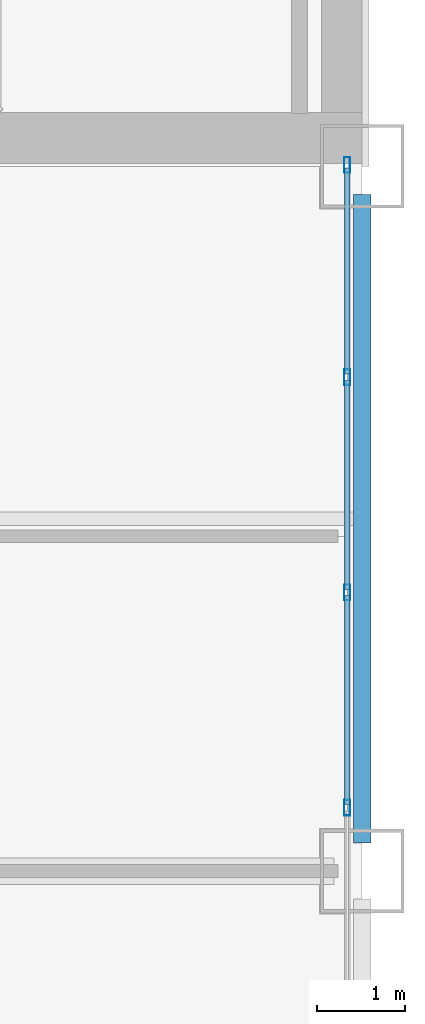
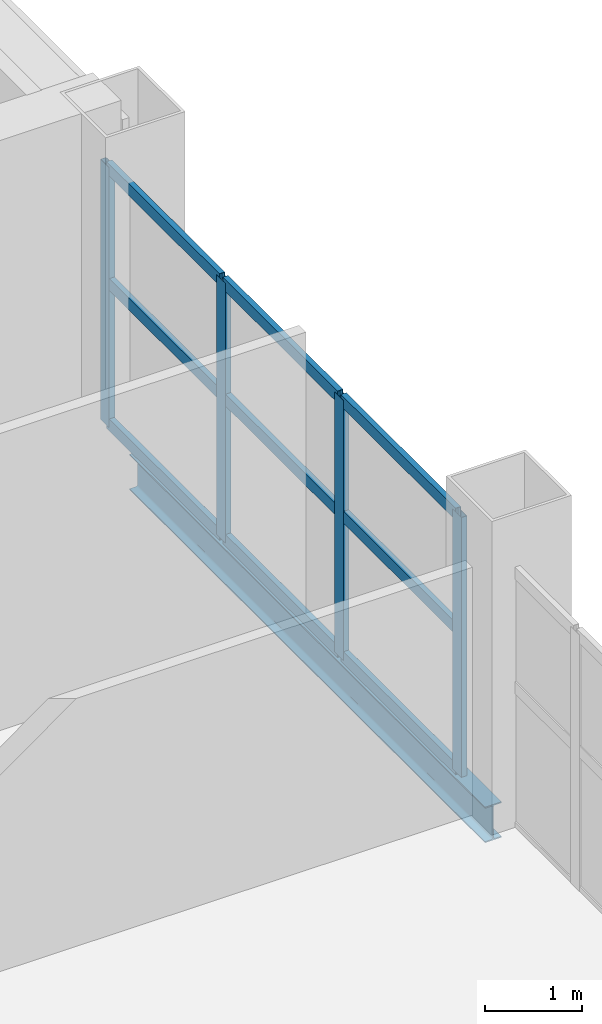
# One storey, part 6 of 14: 13 members, 1 beam, 1 element without a shape of its own.
"""IFC4 building model written with IfcOpenShell, lengths in metres."""

from ifc_helpers import new_model, si_unit, direction, frame, origin, origin_2d, place, context, subcontext, project, spatial, hollow_rectangle, i_section, extrude, material, layer, layer_set, material_profile, profile_set, type_object, element, aggregate, save


model = new_model("IFC4")

# Units and contexts
model_context = context("Model", 3, precision=1e-05, world=origin(), true_north=direction((0.0, 1.0)))
body_context = subcontext(model_context, "Body", "Model", "MODEL_VIEW")
ifc_project = project(units=[si_unit("LENGTHUNIT", "METRE"), si_unit("AREAUNIT", "SQUARE_METRE"), si_unit("VOLUMEUNIT", "CUBIC_METRE"), si_unit("PLANEANGLEUNIT", "RADIAN"), si_unit("MASSUNIT", "GRAM", prefix="KILO")], contexts=[model_context])

# Site, building, storey
site_placement = place(None, origin())
site = spatial("IfcSite", under=ifc_project, at=site_placement, CompositionType="ELEMENT")
building_placement = place(site_placement, origin())
building = spatial("IfcBuilding", under=site, at=building_placement, Name="Qianrong Seaharbour Tower", CompositionType="ELEMENT")
storey_placement = place(building_placement, frame((0.0, 0.0, 209.800048828125)))
storey = spatial("IfcBuildingStorey", under=building, at=storey_placement, Name="L50", CompositionType="ELEMENT", Elevation=209.800048828125)

# Beam
ifc_material_1 = material(Name="Structural steel SN400B", Category="steel")
ifc_material_profile_1 = material_profile(ifc_material_1, i_section(OverallWidth=0.199951171875, OverallDepth=0.449951171875, WebThickness=0.009033203125, FlangeThickness=0.013916015625, FilletRadius=0.01806640625, at=origin_2d()), Name="H450x200x9x14")
ifc_profile_set_1 = profile_set([ifc_material_profile_1], Name="Structural steel SN400B")
beam_type = type_object("IfcBeamType", Name="BM-SP-450", PredefinedType="SPANDREL", material=ifc_profile_set_1)
beam_placement = place(storey_placement, frame((64.0, 28.320068359375, -0.449951171875), z_axis=(0.0, 1.0, 0.0), x_axis=(-1.0, 0.0, 0.0)))
element("IfcBeam", 1, at=beam_placement, inside=storey, type_object=beam_type, Name="L50 Spandrel Girder G9 GE-GF", PredefinedType="SPANDREL", context=body_context, shape_type="SweptSolid", body=[
    extrude(i_section(OverallWidth=0.199951171875, OverallDepth=0.449951171875, WebThickness=0.009033203125, FlangeThickness=0.013916015625, FilletRadius=0.01806640625, at=origin_2d()), origin(), (0.0, 0.0, 1.0), 7.35986328125),
])

# Curtain wall, members
ifc_material_2 = material(Name="Anodised aluminium 6063-T6 and laminated low-e glass", Category="aluminium")
ifc_layer = layer(ifc_material_2, 0.195068359375)
ifc_layer_set = layer_set([ifc_layer], Name="Anodised aluminium 6063-T6 and laminated low-e glass")
curtain_wall_type = type_object("IfcCurtainWallType", Name="CW-SYS-3", PredefinedType="NOTDEFINED", material=ifc_layer_set)
curtain_wall_placement = place(storey_placement, origin())
curtain_wall = element("IfcCurtainWall", 2, at=curtain_wall_placement, inside=storey, type_object=curtain_wall_type, Name="L50 Sky-Garden Wintergarden Curtain Wall EAST_WING", PredefinedType="NOTDEFINED")
ifc_material_3 = material(Name="Extruded aluminium 6063-T6", Category="aluminium")
ifc_material_profile_2 = material_profile(ifc_material_3, hollow_rectangle(XDim=0.070068359375, YDim=0.179931640625, WallThickness=0.00390625, at=origin_2d()), Name="ALU-MUL-180x70x4")
ifc_profile_set_2 = profile_set([ifc_material_profile_2], Name="Extruded aluminium 6063-T6")
member_type_1 = type_object("IfcMemberType", Name="CW-MUL-180", PredefinedType="MULLION", material=ifc_profile_set_2)
member_1_placement = place(storey_placement, frame((63.830078125, 36.014892578125, 0.0), z_axis=(0.0, 0.0, 1.0), x_axis=(1.0, 0.0, 0.0)))
member_1 = element("IfcMember", 3, at=member_1_placement, type_object=member_type_1, Name="CW-3 mullion 1", PredefinedType="MULLION", context=body_context, shape_type="SweptSolid", body=[
    extrude(hollow_rectangle(XDim=0.070068359375, YDim=0.179931640625, WallThickness=0.00390625, at=origin_2d()), origin(), (0.0, 0.0, 1.0), 3.284912109375),
])
member_2_placement = place(storey_placement, frame((63.830078125, 33.606201171875, 0.0), z_axis=(0.0, 0.0, 1.0), x_axis=(1.0, 0.0, 0.0)))
member_2 = element("IfcMember", 4, at=member_2_placement, type_object=member_type_1, Name="CW-3 mullion 2", PredefinedType="MULLION", context=body_context, shape_type="SweptSolid", body=[
    extrude(hollow_rectangle(XDim=0.070068359375, YDim=0.179931640625, WallThickness=0.00390625, at=origin_2d()), origin(), (0.0, 0.0, 1.0), 3.284912109375),
])
member_3_placement = place(storey_placement, frame((63.830078125, 31.16259765625, 0.0), z_axis=(0.0, 0.0, 1.0), x_axis=(1.0, 0.0, 0.0)))
member_3 = element("IfcMember", 5, at=member_3_placement, type_object=member_type_1, Name="CW-3 mullion 3", PredefinedType="MULLION", context=body_context, shape_type="SweptSolid", body=[
    extrude(hollow_rectangle(XDim=0.070068359375, YDim=0.179931640625, WallThickness=0.00390625, at=origin_2d()), origin(), (0.0, 0.0, 1.0), 3.284912109375),
])
member_4_placement = place(storey_placement, frame((63.830078125, 28.71875, 0.0), z_axis=(0.0, 0.0, 1.0), x_axis=(1.0, 0.0, 0.0)))
member_4 = element("IfcMember", 6, at=member_4_placement, type_object=member_type_1, Name="CW-3 mullion 4", PredefinedType="MULLION", context=body_context, shape_type="SweptSolid", body=[
    extrude(hollow_rectangle(XDim=0.070068359375, YDim=0.179931640625, WallThickness=0.00390625, at=origin_2d()), origin(), (0.0, 0.0, 1.0), 3.284912109375),
])
ifc_material_profile_3 = material_profile(ifc_material_3, hollow_rectangle(XDim=0.06494140625, YDim=0.14990234375, WallThickness=0.00390625, at=origin_2d()), Name="ALU-TRN-150x65x4")
ifc_profile_set_3 = profile_set([ifc_material_profile_3], Name="Extruded aluminium 6063-T6")
member_type_2 = type_object("IfcMemberType", Name="CW-TRN-150", PredefinedType="USERDEFINED", material=ifc_profile_set_3)
member_5_placement = place(storey_placement, frame((63.830078125, 35.97998046875, 0.032470703125), z_axis=(0.0, -1.0, 0.0), x_axis=(1.0, 0.0, 0.0)))
member_5 = element("IfcMember", 7, at=member_5_placement, type_object=member_type_2, Name="CW-3 transom 1.1", ObjectType="TRANSOM", PredefinedType="USERDEFINED", context=body_context, shape_type="SweptSolid", body=[
    extrude(hollow_rectangle(XDim=0.06494140625, YDim=0.14990234375, WallThickness=0.00390625, at=origin_2d()), origin(), (0.0, 0.0, 1.0), 2.338623046875),
])
member_6_placement = place(storey_placement, frame((63.830078125, 35.97998046875, 1.806640625), z_axis=(0.0, -1.0, 0.0), x_axis=(1.0, 0.0, 0.0)))
member_6 = element("IfcMember", 8, at=member_6_placement, type_object=member_type_2, Name="CW-3 transom 1.2", ObjectType="TRANSOM", PredefinedType="USERDEFINED", context=body_context, shape_type="SweptSolid", body=[
    extrude(hollow_rectangle(XDim=0.06494140625, YDim=0.14990234375, WallThickness=0.00390625, at=origin_2d()), origin(), (0.0, 0.0, 1.0), 2.338623046875),
])
member_7_placement = place(storey_placement, frame((63.830078125, 35.97998046875, 3.25244140625), z_axis=(0.0, -1.0, 0.0), x_axis=(1.0, 0.0, 0.0)))
member_7 = element("IfcMember", 9, at=member_7_placement, type_object=member_type_2, Name="CW-3 transom 1.3", ObjectType="TRANSOM", PredefinedType="USERDEFINED", context=body_context, shape_type="SweptSolid", body=[
    extrude(hollow_rectangle(XDim=0.06494140625, YDim=0.14990234375, WallThickness=0.00390625, at=origin_2d()), origin(), (0.0, 0.0, 1.0), 2.338623046875),
])
member_8_placement = place(storey_placement, frame((63.830078125, 33.5712890625, 0.032470703125), z_axis=(0.0, -1.0, 0.0), x_axis=(1.0, 0.0, 0.0)))
member_8 = element("IfcMember", 10, at=member_8_placement, type_object=member_type_2, Name="CW-3 transom 2.1", ObjectType="TRANSOM", PredefinedType="USERDEFINED", context=body_context, shape_type="SweptSolid", body=[
    extrude(hollow_rectangle(XDim=0.06494140625, YDim=0.14990234375, WallThickness=0.00390625, at=origin_2d()), origin(), (0.0, 0.0, 1.0), 2.373779296875),
])
member_9_placement = place(storey_placement, frame((63.830078125, 33.5712890625, 1.806640625), z_axis=(0.0, -1.0, 0.0), x_axis=(1.0, 0.0, 0.0)))
member_9 = element("IfcMember", 11, at=member_9_placement, type_object=member_type_2, Name="CW-3 transom 2.2", ObjectType="TRANSOM", PredefinedType="USERDEFINED", context=body_context, shape_type="SweptSolid", body=[
    extrude(hollow_rectangle(XDim=0.06494140625, YDim=0.14990234375, WallThickness=0.00390625, at=origin_2d()), origin(), (0.0, 0.0, 1.0), 2.373779296875),
])
member_10_placement = place(storey_placement, frame((63.830078125, 33.5712890625, 3.25244140625), z_axis=(0.0, -1.0, 0.0), x_axis=(1.0, 0.0, 0.0)))
member_10 = element("IfcMember", 12, at=member_10_placement, type_object=member_type_2, Name="CW-3 transom 2.3", ObjectType="TRANSOM", PredefinedType="USERDEFINED", context=body_context, shape_type="SweptSolid", body=[
    extrude(hollow_rectangle(XDim=0.06494140625, YDim=0.14990234375, WallThickness=0.00390625, at=origin_2d()), origin(), (0.0, 0.0, 1.0), 2.373779296875),
])
member_11_placement = place(storey_placement, frame((63.830078125, 31.12744140625, 0.032470703125), z_axis=(0.0, -1.0, 0.0), x_axis=(1.0, 0.0, 0.0)))
member_11 = element("IfcMember", 13, at=member_11_placement, type_object=member_type_2, Name="CW-3 transom 3.1", ObjectType="TRANSOM", PredefinedType="USERDEFINED", context=body_context, shape_type="SweptSolid", body=[
    extrude(hollow_rectangle(XDim=0.06494140625, YDim=0.14990234375, WallThickness=0.00390625, at=origin_2d()), origin(), (0.0, 0.0, 1.0), 2.373779296875),
])
member_12_placement = place(storey_placement, frame((63.830078125, 31.12744140625, 1.806640625), z_axis=(0.0, -1.0, 0.0), x_axis=(1.0, 0.0, 0.0)))
member_12 = element("IfcMember", 14, at=member_12_placement, type_object=member_type_2, Name="CW-3 transom 3.2", ObjectType="TRANSOM", PredefinedType="USERDEFINED", context=body_context, shape_type="SweptSolid", body=[
    extrude(hollow_rectangle(XDim=0.06494140625, YDim=0.14990234375, WallThickness=0.00390625, at=origin_2d()), origin(), (0.0, 0.0, 1.0), 2.373779296875),
])
member_13_placement = place(storey_placement, frame((63.830078125, 31.12744140625, 3.25244140625), z_axis=(0.0, -1.0, 0.0), x_axis=(1.0, 0.0, 0.0)))
member_13 = element("IfcMember", 15, at=member_13_placement, type_object=member_type_2, Name="CW-3 transom 3.3", ObjectType="TRANSOM", PredefinedType="USERDEFINED", context=body_context, shape_type="SweptSolid", body=[
    extrude(hollow_rectangle(XDim=0.06494140625, YDim=0.14990234375, WallThickness=0.00390625, at=origin_2d()), origin(), (0.0, 0.0, 1.0), 2.373779296875),
])
aggregate(curtain_wall, [member_1, member_2, member_3, member_4, member_5, member_6, member_7, member_8, member_9, member_10, member_11, member_12, member_13])

save(model, "model.ifc")
